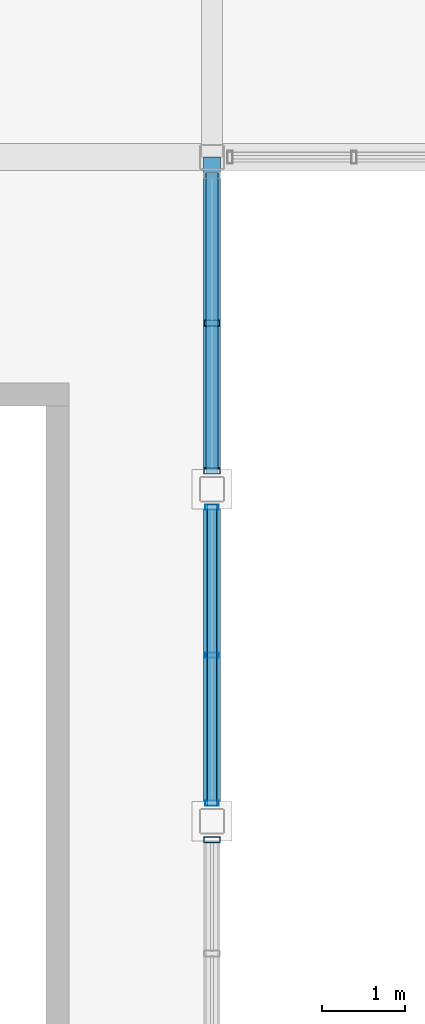
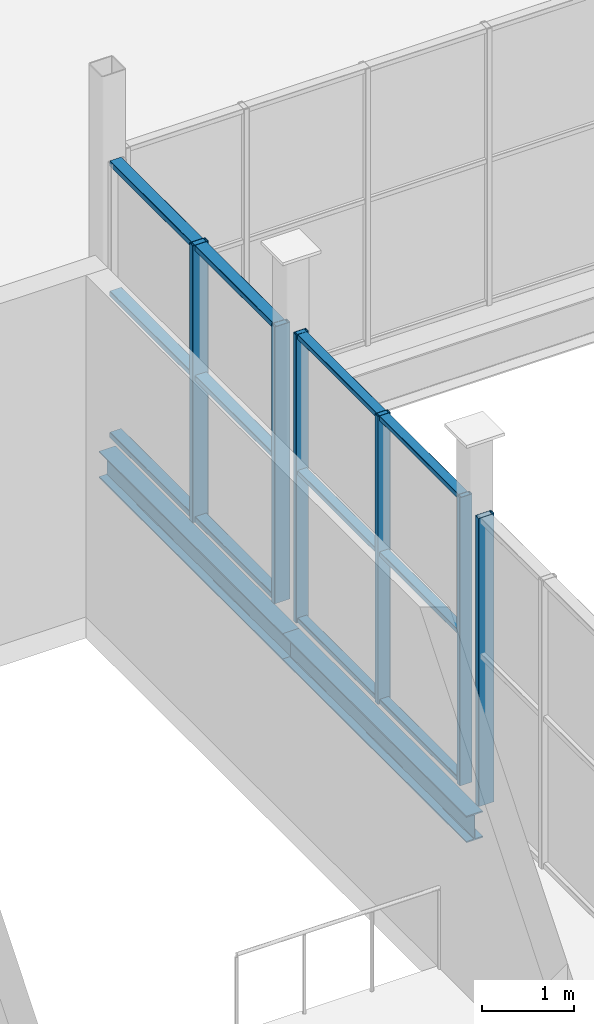
# One storey, part 45 of 114: 12 members, 2 beams, 3 elements without a shape of their own.
"""IFC4 building model written with IfcOpenShell, lengths in metres."""

from ifc_helpers import new_model, si_unit, direction, frame, origin, origin_2d, place, context, subcontext, project, spatial, hollow_rectangle, i_section, extrude, material, material_profile, profile_set, type_object, element, aggregate, save


model = new_model("IFC4")

# Units and contexts
model_context = context("Model", 3, precision=1e-05, world=origin(), true_north=direction((0.0, 1.0)))
body_context = subcontext(model_context, "Body", "Model", "MODEL_VIEW")
ifc_project = project(units=[si_unit("LENGTHUNIT", "METRE"), si_unit("AREAUNIT", "SQUARE_METRE"), si_unit("VOLUMEUNIT", "CUBIC_METRE"), si_unit("PLANEANGLEUNIT", "RADIAN"), si_unit("MASSUNIT", "GRAM", prefix="KILO")], contexts=[model_context])

# Site, building, storey
site_placement = place(None, origin())
site = spatial("IfcSite", under=ifc_project, at=site_placement, CompositionType="ELEMENT")
building_placement = place(site_placement, origin())
building = spatial("IfcBuilding", under=site, at=building_placement, Name="Verrall Gate Interchange", CompositionType="ELEMENT")
storey_placement = place(building_placement, frame((0.0, 0.0, 6.60009765625)))
storey = spatial("IfcBuildingStorey", under=building, at=storey_placement, Name="L02", CompositionType="ELEMENT", Elevation=6.60009765625)

# Beams
ifc_material_1 = material(Name="Structural Steel CSA G40.21 350W", Category="steel")
ifc_material_profile_1 = material_profile(ifc_material_1, i_section(OverallWidth=0.205078125, OverallDepth=0.35400390625, WebThickness=0.009521484375, FlangeThickness=0.016845703125, FilletRadius=0.012939453125, at=origin_2d()), Name="W360x79")
ifc_profile_set_1 = profile_set([ifc_material_profile_1], Name="Structural Steel CSA G40.21 350W")
beam_type = type_object("IfcBeamType", Name="B-14 Structural Beam W360x79", PredefinedType="BEAM", material=ifc_profile_set_1)
for number, where, z_axis, x_axis, name in (
    (1, (108.0, 40.0, -0.45703125), (0.0, 1.0, 0.0), (-1.0, 0.0, 0.0), "L02 Girder BM-L02-1778 (B-14)"),
    (2, (108.0, 44.0, -0.45703125), (0.0, 1.0, 0.0), (-1.0, 0.0, 0.0), "L02 Girder BM-L02-1779 (B-14)"),
):
    element("IfcBeam", number, at=place(storey_placement, frame(where, z_axis=z_axis, x_axis=x_axis)), inside=storey, type_object=beam_type, Name=name, PredefinedType="BEAM", context=body_context, shape_type="SweptSolid", body=[
        extrude(i_section(OverallWidth=0.205078125, OverallDepth=0.35400390625, WebThickness=0.009521484375, FlangeThickness=0.016845703125, FilletRadius=0.012939453125, at=origin_2d()), origin(), (0.0, 0.0, 1.0), 4.0),
    ])

# Curtain wall, members
ifc_material_2 = material(Name="Thermally Broken Anodized Aluminium Curtain Wall Framing", Category="aluminium")
curtain_wall_type_1 = type_object("IfcCurtainWallType", Name="CW-19 Unitized Curtain Wall 3631x3830", PredefinedType="NOTDEFINED", material=ifc_material_2)
curtain_wall_1_placement = place(storey_placement, origin())
curtain_wall_1 = element("IfcCurtainWall", 3, at=curtain_wall_1_placement, inside=storey, type_object=curtain_wall_type_1, Name="L02 Unitized Curtain Wall CW-L02-068", PredefinedType="NOTDEFINED")
ifc_material_3 = material(Name="Thermally Broken Anodized Aluminium Curtain Wall Framing", Category="aluminium")
ifc_material_profile_2 = material_profile(ifc_material_3, hollow_rectangle(XDim=0.06494140625, YDim=0.159912109375, WallThickness=0.00390625, InnerFilletRadius=0.00390625, OuterFilletRadius=0.008056640625, at=origin_2d()), Name="CWM160x65x4")
ifc_profile_set_2 = profile_set([ifc_material_profile_2], Name="Thermally Broken Anodized Aluminium Curtain Wall Framing")
member_type_1 = type_object("IfcMemberType", Name="CM-01 Curtain Mullion CWM160x65x4", PredefinedType="MULLION", material=ifc_profile_set_2)
member_1_placement = place(storey_placement, frame((108.0, 40.217041015625, 0.0), z_axis=(0.0, 0.0, 1.0), x_axis=(0.0, 1.0, 0.0)))
member_1 = element("IfcMember", 4, at=member_1_placement, type_object=member_type_1, Name="CW-L02-068 Mullion 1", PredefinedType="MULLION", context=body_context, shape_type="SweptSolid", body=[
    extrude(hollow_rectangle(XDim=0.06494140625, YDim=0.159912109375, WallThickness=0.00390625, InnerFilletRadius=0.00390625, OuterFilletRadius=0.008056640625, at=origin_2d()), origin(), (0.0, 0.0, 1.0), 3.829833984375),
])
member_2_placement = place(storey_placement, frame((108.0, 42.0, 0.0), z_axis=(0.0, 0.0, 1.0), x_axis=(0.0, 1.0, 0.0)))
member_2 = element("IfcMember", 5, at=member_2_placement, type_object=member_type_1, Name="CW-L02-068 Mullion 2", PredefinedType="MULLION", context=body_context, shape_type="SweptSolid", body=[
    extrude(hollow_rectangle(XDim=0.06494140625, YDim=0.159912109375, WallThickness=0.00390625, InnerFilletRadius=0.00390625, OuterFilletRadius=0.008056640625, at=origin_2d()), origin(), (0.0, 0.0, 1.0), 3.829833984375),
])
member_3_placement = place(storey_placement, frame((108.0, 43.782958984375, 0.0), z_axis=(0.0, 0.0, 1.0), x_axis=(0.0, 1.0, 0.0)))
member_3 = element("IfcMember", 6, at=member_3_placement, type_object=member_type_1, Name="CW-L02-068 Mullion 3", PredefinedType="MULLION", context=body_context, shape_type="SweptSolid", body=[
    extrude(hollow_rectangle(XDim=0.06494140625, YDim=0.159912109375, WallThickness=0.00390625, InnerFilletRadius=0.00390625, OuterFilletRadius=0.008056640625, at=origin_2d()), origin(), (0.0, 0.0, 1.0), 3.829833984375),
])

# Curtain wall, member
ifc_material_4 = material(Name="Thermally Broken Anodized Aluminium Curtain Wall Framing", Category="aluminium")
curtain_wall_type_2 = type_object("IfcCurtainWallType", Name="CW-18 Unitized Curtain Wall 5631x3760", PredefinedType="NOTDEFINED", material=ifc_material_4)
curtain_wall_2_placement = place(storey_placement, origin())
curtain_wall_2 = element("IfcCurtainWall", 7, at=curtain_wall_2_placement, inside=storey, type_object=curtain_wall_type_2, Name="L02 Unitized Curtain Wall CW-L02-067", PredefinedType="NOTDEFINED")
ifc_material_5 = material(Name="Thermally Broken Anodized Aluminium Curtain Wall Framing", Category="aluminium")
ifc_material_profile_3 = material_profile(ifc_material_5, hollow_rectangle(XDim=0.074951171875, YDim=0.199951171875, WallThickness=0.0048828125, InnerFilletRadius=0.0048828125, OuterFilletRadius=0.010009765625, at=origin_2d()), Name="CWM200x75x5")
ifc_profile_set_3 = profile_set([ifc_material_profile_3], Name="Thermally Broken Anodized Aluminium Curtain Wall Framing")
member_type_2 = type_object("IfcMemberType", Name="CM-02 Curtain Mullion CWM200x75x5", PredefinedType="MULLION", material=ifc_profile_set_3)
member_4_placement = place(storey_placement, frame((108.0, 39.778076171875, 0.0), z_axis=(0.0, 0.0, 1.0), x_axis=(0.0, 1.0, 0.0)))
member_4 = element("IfcMember", 8, at=member_4_placement, type_object=member_type_2, Name="CW-L02-067 Mullion 5", PredefinedType="MULLION", context=body_context, shape_type="SweptSolid", body=[
    extrude(hollow_rectangle(XDim=0.074951171875, YDim=0.199951171875, WallThickness=0.0048828125, InnerFilletRadius=0.0048828125, OuterFilletRadius=0.010009765625, at=origin_2d()), origin(), (0.0, 0.0, 1.0), 3.829833984375),
])
aggregate(curtain_wall_2, [member_4])

# Curtain wall, members
ifc_material_6 = material(Name="Thermally Broken Anodized Aluminium Curtain Wall Framing", Category="aluminium")
curtain_wall_type_3 = type_object("IfcCurtainWallType", Name="CW-20 Unitized Curtain Wall 3631x3680", PredefinedType="NOTDEFINED", material=ifc_material_6)
curtain_wall_3_placement = place(storey_placement, origin())
curtain_wall_3 = element("IfcCurtainWall", 9, at=curtain_wall_3_placement, inside=storey, type_object=curtain_wall_type_3, Name="L02 Unitized Curtain Wall CW-L02-069", PredefinedType="NOTDEFINED")
member_5_placement = place(storey_placement, frame((108.0, 44.221923828125, 0.0), z_axis=(0.0, 0.0, 1.0), x_axis=(0.0, 1.0, 0.0)))
member_5 = element("IfcMember", 10, at=member_5_placement, type_object=member_type_2, Name="CW-L02-069 Mullion 1", PredefinedType="MULLION", context=body_context, shape_type="SweptSolid", body=[
    extrude(hollow_rectangle(XDim=0.074951171875, YDim=0.199951171875, WallThickness=0.0048828125, InnerFilletRadius=0.0048828125, OuterFilletRadius=0.010009765625, at=origin_2d()), origin(), (0.0, 0.0, 1.0), 3.679931640625),
])
member_6_placement = place(storey_placement, frame((108.0, 46.0, 0.0), z_axis=(0.0, 0.0, 1.0), x_axis=(0.0, 1.0, 0.0)))
member_6 = element("IfcMember", 11, at=member_6_placement, type_object=member_type_2, Name="CW-L02-069 Mullion 2", PredefinedType="MULLION", context=body_context, shape_type="SweptSolid", body=[
    extrude(hollow_rectangle(XDim=0.074951171875, YDim=0.199951171875, WallThickness=0.0048828125, InnerFilletRadius=0.0048828125, OuterFilletRadius=0.010009765625, at=origin_2d()), origin(), (0.0, 0.0, 1.0), 3.679931640625),
])

# Member
ifc_material_7 = material(Name="Thermally Broken Anodized Aluminium Curtain Wall Framing", Category="aluminium")
ifc_material_profile_4 = material_profile(ifc_material_7, hollow_rectangle(XDim=0.1201171875, YDim=0.06494140625, WallThickness=0.00390625, InnerFilletRadius=0.00390625, OuterFilletRadius=0.008056640625, at=origin_2d()), Name="CWT120x65x4")
ifc_profile_set_4 = profile_set([ifc_material_profile_4], Name="Thermally Broken Anodized Aluminium Curtain Wall Framing")
member_type_3 = type_object("IfcMemberType", Name="CT-01 Curtain Transom CWT120x65x4", PredefinedType="USERDEFINED", material=ifc_profile_set_4)
member_7_placement = place(storey_placement, frame((108.0, 40.1845703125, 0.032470703125), z_axis=(0.0, 1.0, 0.0), x_axis=(-1.0, 0.0, 0.0)))
member_7 = element("IfcMember", 12, at=member_7_placement, type_object=member_type_3, Name="CW-L02-068 Transom 1", ObjectType="TRANSOM", PredefinedType="USERDEFINED", context=body_context, shape_type="SweptSolid", body=[
    extrude(hollow_rectangle(XDim=0.1201171875, YDim=0.06494140625, WallThickness=0.00390625, InnerFilletRadius=0.00390625, OuterFilletRadius=0.008056640625, at=origin_2d()), origin(), (0.0, 0.0, 1.0), 3.630859375),
])

member_8_placement = place(storey_placement, frame((108.0, 40.1845703125, 1.991455078125), z_axis=(0.0, 1.0, 0.0), x_axis=(-1.0, 0.0, 0.0)))
member_8 = element("IfcMember", 13, at=member_8_placement, type_object=member_type_3, Name="CW-L02-068 Transom 2", ObjectType="TRANSOM", PredefinedType="USERDEFINED", context=body_context, shape_type="SweptSolid", body=[
    extrude(hollow_rectangle(XDim=0.1201171875, YDim=0.06494140625, WallThickness=0.00390625, InnerFilletRadius=0.00390625, OuterFilletRadius=0.008056640625, at=origin_2d()), origin(), (0.0, 0.0, 1.0), 3.630859375),
])

member_9_placement = place(storey_placement, frame((108.0, 40.1845703125, 3.79736328125), z_axis=(0.0, 1.0, 0.0), x_axis=(-1.0, 0.0, 0.0)))
member_9 = element("IfcMember", 14, at=member_9_placement, type_object=member_type_3, Name="CW-L02-068 Transom 3", ObjectType="TRANSOM", PredefinedType="USERDEFINED", context=body_context, shape_type="SweptSolid", body=[
    extrude(hollow_rectangle(XDim=0.1201171875, YDim=0.06494140625, WallThickness=0.00390625, InnerFilletRadius=0.00390625, OuterFilletRadius=0.008056640625, at=origin_2d()), origin(), (0.0, 0.0, 1.0), 3.630859375),
])

aggregate(curtain_wall_1, [member_1, member_2, member_3, member_7, member_8, member_9])

ifc_material_8 = material(Name="Thermally Broken Anodized Aluminium Curtain Wall Framing", Category="aluminium")
ifc_material_profile_5 = material_profile(ifc_material_8, hollow_rectangle(XDim=0.14990234375, YDim=0.074951171875, WallThickness=0.00439453125, InnerFilletRadius=0.00439453125, OuterFilletRadius=0.009033203125, at=origin_2d()), Name="CWT150x75x4.5")
ifc_profile_set_5 = profile_set([ifc_material_profile_5], Name="Thermally Broken Anodized Aluminium Curtain Wall Framing")
member_type_4 = type_object("IfcMemberType", Name="CT-02 Curtain Transom CWT150x75x4.5", PredefinedType="USERDEFINED", material=ifc_profile_set_5)
member_10_placement = place(storey_placement, frame((108.0, 44.1845703125, 0.037353515625), z_axis=(0.0, 1.0, 0.0), x_axis=(-1.0, 0.0, 0.0)))
member_10 = element("IfcMember", 15, at=member_10_placement, type_object=member_type_4, Name="CW-L02-069 Transom 1", ObjectType="TRANSOM", PredefinedType="USERDEFINED", context=body_context, shape_type="SweptSolid", body=[
    extrude(hollow_rectangle(XDim=0.14990234375, YDim=0.074951171875, WallThickness=0.00439453125, InnerFilletRadius=0.00439453125, OuterFilletRadius=0.009033203125, at=origin_2d()), origin(), (0.0, 0.0, 1.0), 3.630859375),
])

member_11_placement = place(storey_placement, frame((108.0, 44.1845703125, 1.91357421875), z_axis=(0.0, 1.0, 0.0), x_axis=(-1.0, 0.0, 0.0)))
member_11 = element("IfcMember", 16, at=member_11_placement, type_object=member_type_4, Name="CW-L02-069 Transom 2", ObjectType="TRANSOM", PredefinedType="USERDEFINED", context=body_context, shape_type="SweptSolid", body=[
    extrude(hollow_rectangle(XDim=0.14990234375, YDim=0.074951171875, WallThickness=0.00439453125, InnerFilletRadius=0.00439453125, OuterFilletRadius=0.009033203125, at=origin_2d()), origin(), (0.0, 0.0, 1.0), 3.630859375),
])

member_12_placement = place(storey_placement, frame((108.0, 44.1845703125, 3.642333984375), z_axis=(0.0, 1.0, 0.0), x_axis=(-1.0, 0.0, 0.0)))
member_12 = element("IfcMember", 17, at=member_12_placement, type_object=member_type_4, Name="CW-L02-069 Transom 3", ObjectType="TRANSOM", PredefinedType="USERDEFINED", context=body_context, shape_type="SweptSolid", body=[
    extrude(hollow_rectangle(XDim=0.14990234375, YDim=0.074951171875, WallThickness=0.00439453125, InnerFilletRadius=0.00439453125, OuterFilletRadius=0.009033203125, at=origin_2d()), origin(), (0.0, 0.0, 1.0), 3.630859375),
])

aggregate(curtain_wall_3, [member_5, member_6, member_10, member_11, member_12])

save(model, "model.ifc")
